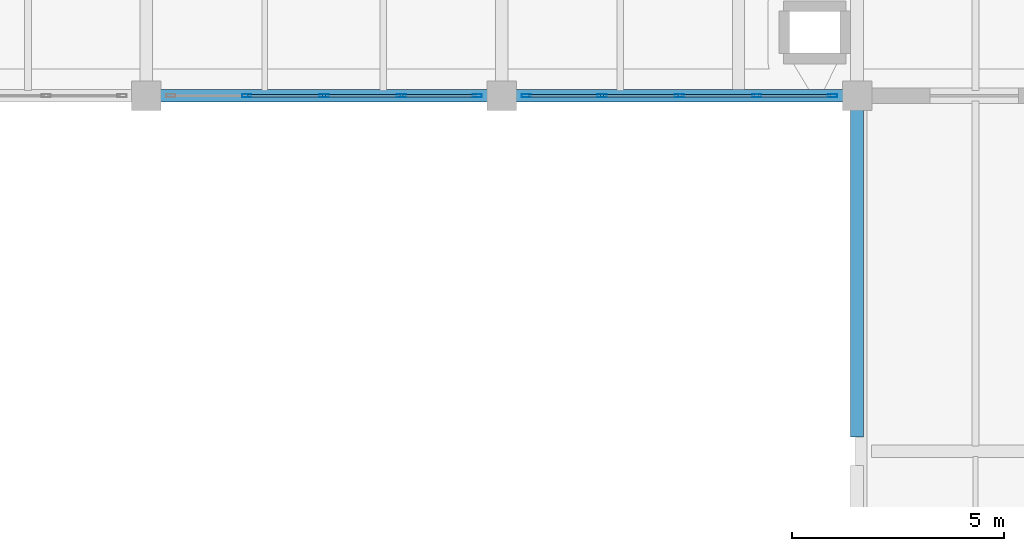
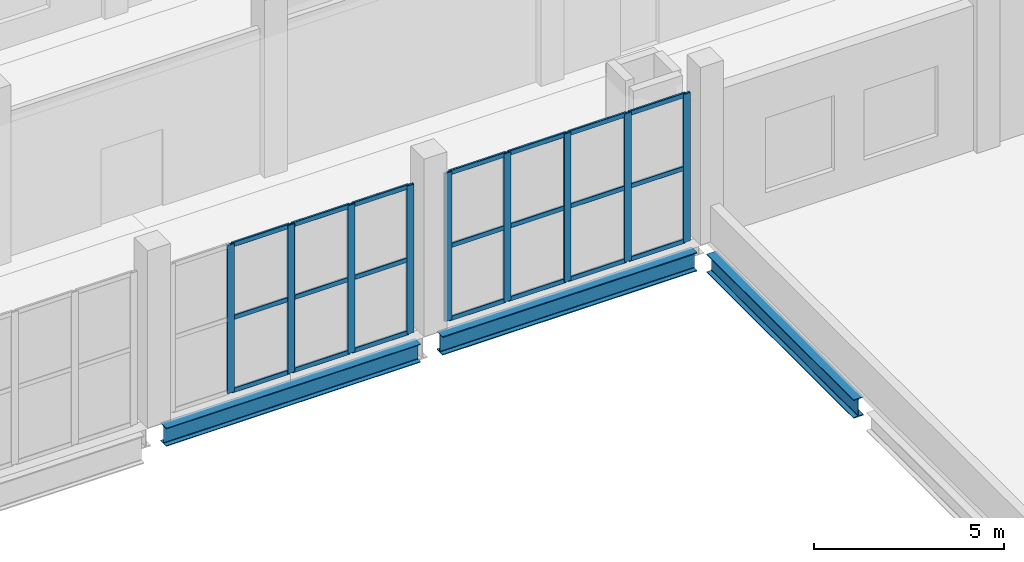
# One storey, part 26 of 49: 30 members, 3 beams, 2 elements without a shape of their own.
"""IFC4 building model written with IfcOpenShell, lengths in metres."""

import ifcopenshell
import ifcopenshell.guid

model = None  # the IFC model being written
_history = None  # IfcOwnerHistory: only IFC2X3 demands one
_inside = {}  # id of a spatial element -> (the spatial element, [elements in it])
_under = {}  # id of a project, library or spatial element -> (it, [spatial elements below it])
_declared = {}  # id of a project -> (the project, [libraries it declares])
_typed = {}  # id of a type object -> (the type object, [elements of that type])
_made_of = {}  # id of a material, layer set ... -> (it, [elements and type objects made of it])


def new_model(schema):
    """Start an empty IFC model of exactly this schema.

    Asked for "IFC4X3", IfcOpenShell would pick the latest addendum, in which some entities
    have other attributes; the version numbers below select the first issue.
    IFC2X3 requires an IfcOwnerHistory on every rooted entity: one is made here for all.
    """
    global model, _history
    if schema == "IFC4X3":
        model = ifcopenshell.file(schema_version=(4, 3, 0, 0))
    else:
        model = ifcopenshell.file(schema=schema)
    _inside.clear()
    _under.clear()
    _declared.clear()
    _typed.clear()
    _made_of.clear()
    _history = None
    if model.schema == "IFC2X3":
        org = make("IfcOrganization", Name="unknown")
        user = make(
            "IfcPersonAndOrganization",
            ThePerson=make("IfcPerson", FamilyName="unknown"),
            TheOrganization=org,
        )
        app = make(
            "IfcApplication",
            ApplicationDeveloper=org,
            Version="unknown",
            ApplicationFullName="unknown",
            ApplicationIdentifier="unknown",
        )
        _history = make(
            "IfcOwnerHistory",
            OwningUser=user,
            OwningApplication=app,
            ChangeAction="ADDED",
            CreationDate=0,
        )
    return model


def make(cls, **values):
    """One entity of the class cls with the attributes given. An attribute that is None is left unset."""
    return model.create_entity(
        cls, **{name: value for name, value in values.items() if value is not None}
    )


def rooted(cls, **values):
    """An entity with a GlobalId (a new one), such as an element, a storey or a relation."""
    return make(cls, GlobalId=ifcopenshell.guid.new(), OwnerHistory=_history, **values)


def si_unit(unit_type, name, prefix=None):
    """IfcSIUnit, for example si_unit("LENGTHUNIT", "METRE", prefix="MILLI")."""
    return make("IfcSIUnit", UnitType=unit_type, Prefix=prefix, Name=name)


def assignment(units):
    """IfcUnitAssignment: the units of a project."""
    return None if units is None else make("IfcUnitAssignment", Units=units)


def point(xyz):
    """IfcCartesianPoint."""
    return None if xyz is None else make("IfcCartesianPoint", Coordinates=xyz)


def direction(xyz):
    """IfcDirection."""
    return None if xyz is None else make("IfcDirection", DirectionRatios=xyz)


def frame(location, z_axis=None, x_axis=None):
    """IfcAxis2Placement3D, a coordinate frame: its origin and axes. An axis left out is left unset."""
    return make(
        "IfcAxis2Placement3D",
        Location=point(location),
        Axis=direction(z_axis),
        RefDirection=direction(x_axis),
    )


def frame_2d(location, x_axis=None):
    """IfcAxis2Placement2D, a coordinate frame in the plane: its origin and x axis."""
    return make(
        "IfcAxis2Placement2D", Location=point(location), RefDirection=direction(x_axis)
    )


def origin():
    """The frame at (0, 0, 0) with its axes left unset."""
    return frame((0.0, 0.0, 0.0))


def origin_2d():
    """The frame at (0, 0) in the plane with its x axis left unset."""
    return frame_2d((0.0, 0.0))


def place(relative_to, where):
    """IfcLocalPlacement: puts the frame where relative to a parent placement (None: the world)."""
    return make(
        "IfcLocalPlacement", PlacementRelTo=relative_to, RelativePlacement=where
    )


def context(
    kind, dimensions, precision=None, world=None, true_north=None, identifier=None
):
    """IfcGeometricRepresentationContext, for example the 3D "Model" context."""
    return make(
        "IfcGeometricRepresentationContext",
        ContextIdentifier=identifier,
        ContextType=kind,
        CoordinateSpaceDimension=dimensions,
        Precision=precision,
        WorldCoordinateSystem=world,
        TrueNorth=true_north,
    )


def subcontext(parent, identifier, kind, view, scale=None):
    """IfcGeometricRepresentationSubContext, for example "Body" below "Model"."""
    return make(
        "IfcGeometricRepresentationSubContext",
        ContextIdentifier=identifier,
        ContextType=kind,
        ParentContext=parent,
        TargetScale=scale,
        TargetView=view,
    )


def project(units=None, contexts=None):
    """IfcProject with its units and contexts."""
    return rooted(
        "IfcProject",
        Name="project",
        RepresentationContexts=contexts,
        UnitsInContext=assignment(units),
    )


def spatial(cls, under=None, at=None, **own):
    """A site, building, storey or space (cls), placed at a placement, below another one or the project."""
    s = rooted(cls, ObjectPlacement=at, **own)
    if under is not None:
        _under.setdefault(under.id(), (under, []))[1].append(s)
    return s


def profile(cls, at=None, kind="AREA", **sizes):
    """A parametric profile (cls). Its sizes go by their IFC names, for example OverallWidth=200.0."""
    return make(cls, ProfileType=kind, Position=at, **sizes)


def hollow_rectangle(**sizes):
    """IfcRectangleHollowProfileDef."""
    return profile("IfcRectangleHollowProfileDef", **sizes)


def i_section(**sizes):
    """IfcIShapeProfileDef."""
    return profile("IfcIShapeProfileDef", **sizes)


def extrude(swept, where, along, depth):
    """IfcExtrudedAreaSolid: the profile swept, set in the frame where, extruded along a direction by depth."""
    return make(
        "IfcExtrudedAreaSolid",
        SweptArea=swept,
        Position=where,
        ExtrudedDirection=direction(along),
        Depth=depth,
    )


def shape(context_of_items, identifier, shape_type, items):
    """IfcShapeRepresentation: the items that make up one representation, for example the "Body"."""
    return make(
        "IfcShapeRepresentation",
        ContextOfItems=context_of_items,
        RepresentationIdentifier=identifier,
        RepresentationType=shape_type,
        Items=items,
    )


def material(Name=None, Category=None):
    """IfcMaterial."""
    return make("IfcMaterial", Name=Name, Category=Category)


def layer(
    of_material, thickness, ventilated=None, Name=None, Category=None, Priority=None
):
    """IfcMaterialLayer: one layer of a wall or slab, of a material (None: an air gap)."""
    return make(
        "IfcMaterialLayer",
        Material=of_material,
        LayerThickness=thickness,
        IsVentilated=ventilated,
        Name=Name,
        Category=Category,
        Priority=Priority,
    )


def layer_set(layers, Name=None):
    """IfcMaterialLayerSet."""
    return make("IfcMaterialLayerSet", MaterialLayers=layers, LayerSetName=Name)


def material_profile(
    of_material, cross_section, Name=None, Category=None, Priority=None
):
    """IfcMaterialProfile: a cross section and its material."""
    return make(
        "IfcMaterialProfile",
        Name=Name,
        Material=of_material,
        Profile=cross_section,
        Priority=Priority,
        Category=Category,
    )


def profile_set(profiles, Name=None, composite=None):
    """IfcMaterialProfileSet."""
    return make(
        "IfcMaterialProfileSet",
        Name=Name,
        MaterialProfiles=profiles,
        CompositeProfile=composite,
    )


def made_of(thing, what):
    """Note that an element or type object is made of a material, layer set ...; save() writes the relation."""
    if what is not None:
        _made_of.setdefault(what.id(), (what, []))[1].append(thing)
    return thing


def type_object(cls, material=None, **own):
    """A type object (cls), such as IfcWallType, which elements share."""
    return made_of(rooted(cls, **own), material)


def element(
    cls,
    number,
    at=None,
    inside=None,
    cuts=None,
    type_object=None,
    material=None,
    context=None,
    identifier="Body",
    shape_type=None,
    held_by="IfcProductDefinitionShape",
    body=None,
    shapes=None,
    **own,
):
    """One element of the class cls, such as IfcWall. Its Tag is "e" and its number.

    at: its placement. inside: the storey or other place that contains it. cuts: it is an
    opening in that element (IfcRelVoidsElement). A single representation is given by context,
    identifier, shape_type and body (its items); several are given by shapes. held_by: the class
    of the entity that holds the representations. save() writes the other relations.
    """
    e = rooted(cls, Tag="e%d" % number, ObjectPlacement=at, **own)
    if body is not None:
        shapes = [shape(context, identifier, shape_type, body)]
    if shapes is not None:
        e.Representation = make(held_by, Representations=shapes)
    if inside is not None:
        _inside.setdefault(inside.id(), (inside, []))[1].append(e)
    if cuts is not None:
        rooted(
            "IfcRelVoidsElement", RelatingBuildingElement=cuts, RelatedOpeningElement=e
        )
    if type_object is not None:
        _typed.setdefault(type_object.id(), (type_object, []))[1].append(e)
    return made_of(e, material)


def aggregate(whole, parts):
    """IfcRelAggregates: a whole, such as a stair, and the parts it consists of."""
    return rooted("IfcRelAggregates", RelatingObject=whole, RelatedObjects=parts)


def save(model, path):
    """Write the relations noted so far, then the file.

    IfcRelAggregates (storeys below a building ...), IfcRelContainedInSpatialStructure (elements
    in a storey), IfcRelDefinesByType, IfcRelAssociatesMaterial and IfcRelDeclares: one each for
    every whole, place, type object, material and project.
    """
    for whole, parts in _under.values():
        aggregate(whole, parts)
    for where, things in _inside.values():
        rooted(
            "IfcRelContainedInSpatialStructure",
            RelatedElements=things,
            RelatingStructure=where,
        )
    for kind, things in _typed.values():
        rooted("IfcRelDefinesByType", RelatedObjects=things, RelatingType=kind)
    for what, things in _made_of.values():
        rooted("IfcRelAssociatesMaterial", RelatedObjects=things, RelatingMaterial=what)
    for by, libraries in _declared.values():
        rooted("IfcRelDeclares", RelatingContext=by, RelatedDefinitions=libraries)
    model.write(path)


model = new_model("IFC4")

# Units and contexts
model_context = context("Model", 3, precision=1e-05, world=origin(), true_north=direction((0.0, 1.0)))
body_context = subcontext(model_context, "Body", "Model", "MODEL_VIEW")
ifc_project = project(units=[si_unit("LENGTHUNIT", "METRE"), si_unit("AREAUNIT", "SQUARE_METRE"), si_unit("VOLUMEUNIT", "CUBIC_METRE"), si_unit("PLANEANGLEUNIT", "RADIAN"), si_unit("MASSUNIT", "GRAM", prefix="KILO")], contexts=[model_context])

# Site, building, storey
site_placement = place(None, origin())
site = spatial("IfcSite", under=ifc_project, at=site_placement, CompositionType="ELEMENT")
building_placement = place(site_placement, origin())
building = spatial("IfcBuilding", under=site, at=building_placement, Name="Zulmaris Art Gallery", CompositionType="ELEMENT")
storey_placement = place(building_placement, frame((0.0, 0.0, 20.699951171875)))
storey = spatial("IfcBuildingStorey", under=building, at=storey_placement, Name="L04", CompositionType="ELEMENT", Elevation=20.699951171875)

# Beams
ifc_material_1 = material(Name="Steel S355J2", Category="steel")
ifc_material_profile_1 = material_profile(ifc_material_1, i_section(OverallWidth=0.300048828125, OverallDepth=0.590087890625, WebThickness=0.012939453125, FlangeThickness=0.02490234375, FilletRadius=0.027099609375, at=origin_2d()), Name="HEA 600")
ifc_profile_set_1 = profile_set([ifc_material_profile_1], Name="Steel S355J2")
beam_type_1 = type_object("IfcBeamType", Name="BEAM-BM12", PredefinedType="BEAM", material=ifc_profile_set_1)
beam_placement = place(storey_placement, frame((167.135009765625, 58.800048828125, -0.655029296875), z_axis=(1.0, 0.0, 0.0), x_axis=(0.0, 1.0, 0.0)))
element("IfcBeam", 1, at=beam_placement, inside=storey, type_object=beam_type_1, Name="L04 X-girder (166.8..175.2, y=58.8)", PredefinedType="BEAM", context=body_context, shape_type="SweptSolid", body=[
    extrude(i_section(OverallWidth=0.300048828125, OverallDepth=0.590087890625, WebThickness=0.012939453125, FlangeThickness=0.02490234375, FilletRadius=0.027099609375, at=origin_2d()), origin(), (0.0, 0.0, 1.0), 7.72998046875),
])
ifc_material_profile_2 = material_profile(ifc_material_1, i_section(OverallWidth=0.300048828125, OverallDepth=0.60009765625, WebThickness=0.015380859375, FlangeThickness=0.030029296875, FilletRadius=0.027099609375, at=origin_2d()), Name="HEB 600")
ifc_profile_set_2 = profile_set([ifc_material_profile_2], Name="Steel S355J2")
beam_type_2 = type_object("IfcBeamType", Name="BEAM-BM15", PredefinedType="BEAM", material=ifc_profile_set_2)
for number, where, z_axis, x_axis, name in (
    (2, (175.534912109375, 58.800048828125, -0.659912109375), (1.0, 0.0, 0.0), (0.0, 1.0, 0.0), "L04 X-girder (175.2..183.6, y=58.8)"),
    (3, (183.60009765625, 50.735107421875, -0.659912109375), (0.0, 1.0, 0.0), (-1.0, 0.0, 0.0), "L04 Y-girder (x=183.6, 50.4..58.8)"),
):
    element("IfcBeam", number, at=place(storey_placement, frame(where, z_axis=z_axis, x_axis=x_axis)), inside=storey, type_object=beam_type_2, Name=name, PredefinedType="BEAM", context=body_context, shape_type="SweptSolid", body=[
        extrude(i_section(OverallWidth=0.300048828125, OverallDepth=0.60009765625, WebThickness=0.015380859375, FlangeThickness=0.030029296875, FilletRadius=0.027099609375, at=origin_2d()), origin(), (0.0, 0.0, 1.0), 7.72998046875),
    ])

# Curtain wall, members
ifc_material_2 = material(Name="Courtyard Artists Studio Curtain Wall", Category="aluminium")
ifc_layer = layer(ifc_material_2, 0.179931640625)
ifc_layer_set = layer_set([ifc_layer], Name="Courtyard Artists Studio Curtain Wall")
curtain_wall_type = type_object("IfcCurtainWallType", Name="CW-CW04", PredefinedType="NOTDEFINED", material=ifc_layer_set)
curtain_wall_1_placement = place(storey_placement, origin())
curtain_wall_1 = element("IfcCurtainWall", 4, at=curtain_wall_1_placement, inside=storey, type_object=curtain_wall_type, Name="L04 curtain wall 163", PredefinedType="NOTDEFINED")
ifc_material_3 = material(Name="Anodised Bronze Aluminium", Category="aluminium")
ifc_material_profile_3 = material_profile(ifc_material_3, hollow_rectangle(XDim=0.074951171875, YDim=0.219970703125, WallThickness=0.0048828125, InnerFilletRadius=0.007568359375, OuterFilletRadius=0.012451171875, at=origin_2d()), Name="ALU 75x220x5")
ifc_profile_set_3 = profile_set([ifc_material_profile_3], Name="Anodised Bronze Aluminium")
member_type_1 = type_object("IfcMemberType", Name="CWMUL-02", PredefinedType="MULLION", material=ifc_profile_set_3)
member_1_placement = place(storey_placement, frame((174.62255859375, 58.800048828125, 0.0), z_axis=(0.0, 0.0, 1.0), x_axis=(0.0, -1.0, 0.0)))
member_1 = element("IfcMember", 5, at=member_1_placement, type_object=member_type_1, Name="CW04 mullion 1", PredefinedType="MULLION", context=body_context, shape_type="SweptSolid", body=[
    extrude(hollow_rectangle(XDim=0.074951171875, YDim=0.219970703125, WallThickness=0.0048828125, InnerFilletRadius=0.007568359375, OuterFilletRadius=0.012451171875, at=origin_2d()), origin(), (0.0, 0.0, 1.0), 4.760009765625),
])
member_2_placement = place(storey_placement, frame((172.830078125, 58.800048828125, 0.0), z_axis=(0.0, 0.0, 1.0), x_axis=(0.0, -1.0, 0.0)))
member_2 = element("IfcMember", 6, at=member_2_placement, type_object=member_type_1, Name="CW04 mullion 2", PredefinedType="MULLION", context=body_context, shape_type="SweptSolid", body=[
    extrude(hollow_rectangle(XDim=0.074951171875, YDim=0.219970703125, WallThickness=0.0048828125, InnerFilletRadius=0.007568359375, OuterFilletRadius=0.012451171875, at=origin_2d()), origin(), (0.0, 0.0, 1.0), 4.760009765625),
])
member_3_placement = place(storey_placement, frame((171.0, 58.800048828125, 0.0), z_axis=(0.0, 0.0, 1.0), x_axis=(0.0, -1.0, 0.0)))
member_3 = element("IfcMember", 7, at=member_3_placement, type_object=member_type_1, Name="CW04 mullion 3", PredefinedType="MULLION", context=body_context, shape_type="SweptSolid", body=[
    extrude(hollow_rectangle(XDim=0.074951171875, YDim=0.219970703125, WallThickness=0.0048828125, InnerFilletRadius=0.007568359375, OuterFilletRadius=0.012451171875, at=origin_2d()), origin(), (0.0, 0.0, 1.0), 4.760009765625),
])
member_4_placement = place(storey_placement, frame((169.169921875, 58.800048828125, 0.0), z_axis=(0.0, 0.0, 1.0), x_axis=(0.0, -1.0, 0.0)))
member_4 = element("IfcMember", 8, at=member_4_placement, type_object=member_type_1, Name="CW04 mullion 4", PredefinedType="MULLION", context=body_context, shape_type="SweptSolid", body=[
    extrude(hollow_rectangle(XDim=0.074951171875, YDim=0.219970703125, WallThickness=0.0048828125, InnerFilletRadius=0.007568359375, OuterFilletRadius=0.012451171875, at=origin_2d()), origin(), (0.0, 0.0, 1.0), 4.760009765625),
])

curtain_wall_2_placement = place(storey_placement, origin())
curtain_wall_2 = element("IfcCurtainWall", 9, at=curtain_wall_2_placement, inside=storey, type_object=curtain_wall_type, Name="L04 curtain wall 164", PredefinedType="NOTDEFINED")
member_5_placement = place(storey_placement, frame((183.0224609375, 58.800048828125, 0.0), z_axis=(0.0, 0.0, 1.0), x_axis=(0.0, -1.0, 0.0)))
member_5 = element("IfcMember", 10, at=member_5_placement, type_object=member_type_1, Name="CW04 mullion 1", PredefinedType="MULLION", context=body_context, shape_type="SweptSolid", body=[
    extrude(hollow_rectangle(XDim=0.074951171875, YDim=0.219970703125, WallThickness=0.0048828125, InnerFilletRadius=0.007568359375, OuterFilletRadius=0.012451171875, at=origin_2d()), origin(), (0.0, 0.0, 1.0), 4.760009765625),
])
member_6_placement = place(storey_placement, frame((181.22998046875, 58.800048828125, 0.0), z_axis=(0.0, 0.0, 1.0), x_axis=(0.0, -1.0, 0.0)))
member_6 = element("IfcMember", 11, at=member_6_placement, type_object=member_type_1, Name="CW04 mullion 2", PredefinedType="MULLION", context=body_context, shape_type="SweptSolid", body=[
    extrude(hollow_rectangle(XDim=0.074951171875, YDim=0.219970703125, WallThickness=0.0048828125, InnerFilletRadius=0.007568359375, OuterFilletRadius=0.012451171875, at=origin_2d()), origin(), (0.0, 0.0, 1.0), 4.760009765625),
])
member_7_placement = place(storey_placement, frame((179.39990234375, 58.800048828125, 0.0), z_axis=(0.0, 0.0, 1.0), x_axis=(0.0, -1.0, 0.0)))
member_7 = element("IfcMember", 12, at=member_7_placement, type_object=member_type_1, Name="CW04 mullion 3", PredefinedType="MULLION", context=body_context, shape_type="SweptSolid", body=[
    extrude(hollow_rectangle(XDim=0.074951171875, YDim=0.219970703125, WallThickness=0.0048828125, InnerFilletRadius=0.007568359375, OuterFilletRadius=0.012451171875, at=origin_2d()), origin(), (0.0, 0.0, 1.0), 4.760009765625),
])
member_8_placement = place(storey_placement, frame((177.570068359375, 58.800048828125, 0.0), z_axis=(0.0, 0.0, 1.0), x_axis=(0.0, -1.0, 0.0)))
member_8 = element("IfcMember", 13, at=member_8_placement, type_object=member_type_1, Name="CW04 mullion 4", PredefinedType="MULLION", context=body_context, shape_type="SweptSolid", body=[
    extrude(hollow_rectangle(XDim=0.074951171875, YDim=0.219970703125, WallThickness=0.0048828125, InnerFilletRadius=0.007568359375, OuterFilletRadius=0.012451171875, at=origin_2d()), origin(), (0.0, 0.0, 1.0), 4.760009765625),
])
member_9_placement = place(storey_placement, frame((175.777587890625, 58.800048828125, 0.0), z_axis=(0.0, 0.0, 1.0), x_axis=(0.0, -1.0, 0.0)))
member_9 = element("IfcMember", 14, at=member_9_placement, type_object=member_type_1, Name="CW04 mullion 5", PredefinedType="MULLION", context=body_context, shape_type="SweptSolid", body=[
    extrude(hollow_rectangle(XDim=0.074951171875, YDim=0.219970703125, WallThickness=0.0048828125, InnerFilletRadius=0.007568359375, OuterFilletRadius=0.012451171875, at=origin_2d()), origin(), (0.0, 0.0, 1.0), 4.760009765625),
])

# Member
ifc_material_profile_4 = material_profile(ifc_material_3, hollow_rectangle(XDim=0.06494140625, YDim=0.14990234375, WallThickness=0.00390625, InnerFilletRadius=0.006103515625, OuterFilletRadius=0.010009765625, at=origin_2d()), Name="ALU 65x150x4")
ifc_profile_set_4 = profile_set([ifc_material_profile_4], Name="Anodised Bronze Aluminium")
member_type_2 = type_object("IfcMemberType", Name="CWTRN-01", PredefinedType="USERDEFINED", material=ifc_profile_set_4)
member_10_placement = place(storey_placement, frame((174.5849609375, 58.800048828125, 0.03759765625), z_axis=(-1.0, 0.0, 0.0), x_axis=(0.0, -1.0, 0.0)))
member_10 = element("IfcMember", 15, at=member_10_placement, type_object=member_type_2, Name="CW04 transom 1.1", ObjectType="TRANSOM", PredefinedType="USERDEFINED", context=body_context, shape_type="SweptSolid", body=[
    extrude(hollow_rectangle(XDim=0.06494140625, YDim=0.14990234375, WallThickness=0.00390625, InnerFilletRadius=0.006103515625, OuterFilletRadius=0.010009765625, at=origin_2d()), origin(), (0.0, 0.0, 1.0), 1.717529296875),
])

member_11_placement = place(storey_placement, frame((174.5849609375, 58.800048828125, 2.380126953125), z_axis=(-1.0, 0.0, 0.0), x_axis=(0.0, -1.0, 0.0)))
member_11 = element("IfcMember", 16, at=member_11_placement, type_object=member_type_2, Name="CW04 transom 1.2", ObjectType="TRANSOM", PredefinedType="USERDEFINED", context=body_context, shape_type="SweptSolid", body=[
    extrude(hollow_rectangle(XDim=0.06494140625, YDim=0.14990234375, WallThickness=0.00390625, InnerFilletRadius=0.006103515625, OuterFilletRadius=0.010009765625, at=origin_2d()), origin(), (0.0, 0.0, 1.0), 1.717529296875),
])

member_12_placement = place(storey_placement, frame((174.5849609375, 58.800048828125, 4.72265625), z_axis=(-1.0, 0.0, 0.0), x_axis=(0.0, -1.0, 0.0)))
member_12 = element("IfcMember", 17, at=member_12_placement, type_object=member_type_2, Name="CW04 transom 1.3", ObjectType="TRANSOM", PredefinedType="USERDEFINED", context=body_context, shape_type="SweptSolid", body=[
    extrude(hollow_rectangle(XDim=0.06494140625, YDim=0.14990234375, WallThickness=0.00390625, InnerFilletRadius=0.006103515625, OuterFilletRadius=0.010009765625, at=origin_2d()), origin(), (0.0, 0.0, 1.0), 1.717529296875),
])

member_13_placement = place(storey_placement, frame((172.79248046875, 58.800048828125, 0.03759765625), z_axis=(-1.0, 0.0, 0.0), x_axis=(0.0, -1.0, 0.0)))
member_13 = element("IfcMember", 18, at=member_13_placement, type_object=member_type_2, Name="CW04 transom 2.1", ObjectType="TRANSOM", PredefinedType="USERDEFINED", context=body_context, shape_type="SweptSolid", body=[
    extrude(hollow_rectangle(XDim=0.06494140625, YDim=0.14990234375, WallThickness=0.00390625, InnerFilletRadius=0.006103515625, OuterFilletRadius=0.010009765625, at=origin_2d()), origin(), (0.0, 0.0, 1.0), 1.7548828125),
])

member_14_placement = place(storey_placement, frame((172.79248046875, 58.800048828125, 2.380126953125), z_axis=(-1.0, 0.0, 0.0), x_axis=(0.0, -1.0, 0.0)))
member_14 = element("IfcMember", 19, at=member_14_placement, type_object=member_type_2, Name="CW04 transom 2.2", ObjectType="TRANSOM", PredefinedType="USERDEFINED", context=body_context, shape_type="SweptSolid", body=[
    extrude(hollow_rectangle(XDim=0.06494140625, YDim=0.14990234375, WallThickness=0.00390625, InnerFilletRadius=0.006103515625, OuterFilletRadius=0.010009765625, at=origin_2d()), origin(), (0.0, 0.0, 1.0), 1.7548828125),
])

member_15_placement = place(storey_placement, frame((172.79248046875, 58.800048828125, 4.72265625), z_axis=(-1.0, 0.0, 0.0), x_axis=(0.0, -1.0, 0.0)))
member_15 = element("IfcMember", 20, at=member_15_placement, type_object=member_type_2, Name="CW04 transom 2.3", ObjectType="TRANSOM", PredefinedType="USERDEFINED", context=body_context, shape_type="SweptSolid", body=[
    extrude(hollow_rectangle(XDim=0.06494140625, YDim=0.14990234375, WallThickness=0.00390625, InnerFilletRadius=0.006103515625, OuterFilletRadius=0.010009765625, at=origin_2d()), origin(), (0.0, 0.0, 1.0), 1.7548828125),
])

member_16_placement = place(storey_placement, frame((170.96240234375, 58.800048828125, 0.03759765625), z_axis=(-1.0, 0.0, 0.0), x_axis=(0.0, -1.0, 0.0)))
member_16 = element("IfcMember", 21, at=member_16_placement, type_object=member_type_2, Name="CW04 transom 3.1", ObjectType="TRANSOM", PredefinedType="USERDEFINED", context=body_context, shape_type="SweptSolid", body=[
    extrude(hollow_rectangle(XDim=0.06494140625, YDim=0.14990234375, WallThickness=0.00390625, InnerFilletRadius=0.006103515625, OuterFilletRadius=0.010009765625, at=origin_2d()), origin(), (0.0, 0.0, 1.0), 1.7548828125),
])

member_17_placement = place(storey_placement, frame((170.96240234375, 58.800048828125, 2.380126953125), z_axis=(-1.0, 0.0, 0.0), x_axis=(0.0, -1.0, 0.0)))
member_17 = element("IfcMember", 22, at=member_17_placement, type_object=member_type_2, Name="CW04 transom 3.2", ObjectType="TRANSOM", PredefinedType="USERDEFINED", context=body_context, shape_type="SweptSolid", body=[
    extrude(hollow_rectangle(XDim=0.06494140625, YDim=0.14990234375, WallThickness=0.00390625, InnerFilletRadius=0.006103515625, OuterFilletRadius=0.010009765625, at=origin_2d()), origin(), (0.0, 0.0, 1.0), 1.7548828125),
])

member_18_placement = place(storey_placement, frame((170.96240234375, 58.800048828125, 4.72265625), z_axis=(-1.0, 0.0, 0.0), x_axis=(0.0, -1.0, 0.0)))
member_18 = element("IfcMember", 23, at=member_18_placement, type_object=member_type_2, Name="CW04 transom 3.3", ObjectType="TRANSOM", PredefinedType="USERDEFINED", context=body_context, shape_type="SweptSolid", body=[
    extrude(hollow_rectangle(XDim=0.06494140625, YDim=0.14990234375, WallThickness=0.00390625, InnerFilletRadius=0.006103515625, OuterFilletRadius=0.010009765625, at=origin_2d()), origin(), (0.0, 0.0, 1.0), 1.7548828125),
])

aggregate(curtain_wall_1, [member_1, member_2, member_3, member_4, member_10, member_11, member_12, member_13, member_14, member_15, member_16, member_17, member_18])

member_19_placement = place(storey_placement, frame((182.985107421875, 58.800048828125, 0.03759765625), z_axis=(-1.0, 0.0, 0.0), x_axis=(0.0, -1.0, 0.0)))
member_19 = element("IfcMember", 24, at=member_19_placement, type_object=member_type_2, Name="CW04 transom 1.1", ObjectType="TRANSOM", PredefinedType="USERDEFINED", context=body_context, shape_type="SweptSolid", body=[
    extrude(hollow_rectangle(XDim=0.06494140625, YDim=0.14990234375, WallThickness=0.00390625, InnerFilletRadius=0.006103515625, OuterFilletRadius=0.010009765625, at=origin_2d()), origin(), (0.0, 0.0, 1.0), 1.717529296875),
])

member_20_placement = place(storey_placement, frame((182.985107421875, 58.800048828125, 2.380126953125), z_axis=(-1.0, 0.0, 0.0), x_axis=(0.0, -1.0, 0.0)))
member_20 = element("IfcMember", 25, at=member_20_placement, type_object=member_type_2, Name="CW04 transom 1.2", ObjectType="TRANSOM", PredefinedType="USERDEFINED", context=body_context, shape_type="SweptSolid", body=[
    extrude(hollow_rectangle(XDim=0.06494140625, YDim=0.14990234375, WallThickness=0.00390625, InnerFilletRadius=0.006103515625, OuterFilletRadius=0.010009765625, at=origin_2d()), origin(), (0.0, 0.0, 1.0), 1.717529296875),
])

member_21_placement = place(storey_placement, frame((182.985107421875, 58.800048828125, 4.72265625), z_axis=(-1.0, 0.0, 0.0), x_axis=(0.0, -1.0, 0.0)))
member_21 = element("IfcMember", 26, at=member_21_placement, type_object=member_type_2, Name="CW04 transom 1.3", ObjectType="TRANSOM", PredefinedType="USERDEFINED", context=body_context, shape_type="SweptSolid", body=[
    extrude(hollow_rectangle(XDim=0.06494140625, YDim=0.14990234375, WallThickness=0.00390625, InnerFilletRadius=0.006103515625, OuterFilletRadius=0.010009765625, at=origin_2d()), origin(), (0.0, 0.0, 1.0), 1.717529296875),
])

member_22_placement = place(storey_placement, frame((181.1923828125, 58.800048828125, 0.03759765625), z_axis=(-1.0, 0.0, 0.0), x_axis=(0.0, -1.0, 0.0)))
member_22 = element("IfcMember", 27, at=member_22_placement, type_object=member_type_2, Name="CW04 transom 2.1", ObjectType="TRANSOM", PredefinedType="USERDEFINED", context=body_context, shape_type="SweptSolid", body=[
    extrude(hollow_rectangle(XDim=0.06494140625, YDim=0.14990234375, WallThickness=0.00390625, InnerFilletRadius=0.006103515625, OuterFilletRadius=0.010009765625, at=origin_2d()), origin(), (0.0, 0.0, 1.0), 1.7548828125),
])

member_23_placement = place(storey_placement, frame((181.1923828125, 58.800048828125, 2.380126953125), z_axis=(-1.0, 0.0, 0.0), x_axis=(0.0, -1.0, 0.0)))
member_23 = element("IfcMember", 28, at=member_23_placement, type_object=member_type_2, Name="CW04 transom 2.2", ObjectType="TRANSOM", PredefinedType="USERDEFINED", context=body_context, shape_type="SweptSolid", body=[
    extrude(hollow_rectangle(XDim=0.06494140625, YDim=0.14990234375, WallThickness=0.00390625, InnerFilletRadius=0.006103515625, OuterFilletRadius=0.010009765625, at=origin_2d()), origin(), (0.0, 0.0, 1.0), 1.7548828125),
])

member_24_placement = place(storey_placement, frame((181.1923828125, 58.800048828125, 4.72265625), z_axis=(-1.0, 0.0, 0.0), x_axis=(0.0, -1.0, 0.0)))
member_24 = element("IfcMember", 29, at=member_24_placement, type_object=member_type_2, Name="CW04 transom 2.3", ObjectType="TRANSOM", PredefinedType="USERDEFINED", context=body_context, shape_type="SweptSolid", body=[
    extrude(hollow_rectangle(XDim=0.06494140625, YDim=0.14990234375, WallThickness=0.00390625, InnerFilletRadius=0.006103515625, OuterFilletRadius=0.010009765625, at=origin_2d()), origin(), (0.0, 0.0, 1.0), 1.7548828125),
])

member_25_placement = place(storey_placement, frame((179.362548828125, 58.800048828125, 0.03759765625), z_axis=(-1.0, 0.0, 0.0), x_axis=(0.0, -1.0, 0.0)))
member_25 = element("IfcMember", 30, at=member_25_placement, type_object=member_type_2, Name="CW04 transom 3.1", ObjectType="TRANSOM", PredefinedType="USERDEFINED", context=body_context, shape_type="SweptSolid", body=[
    extrude(hollow_rectangle(XDim=0.06494140625, YDim=0.14990234375, WallThickness=0.00390625, InnerFilletRadius=0.006103515625, OuterFilletRadius=0.010009765625, at=origin_2d()), origin(), (0.0, 0.0, 1.0), 1.755126953125),
])

member_26_placement = place(storey_placement, frame((179.362548828125, 58.800048828125, 2.380126953125), z_axis=(-1.0, 0.0, 0.0), x_axis=(0.0, -1.0, 0.0)))
member_26 = element("IfcMember", 31, at=member_26_placement, type_object=member_type_2, Name="CW04 transom 3.2", ObjectType="TRANSOM", PredefinedType="USERDEFINED", context=body_context, shape_type="SweptSolid", body=[
    extrude(hollow_rectangle(XDim=0.06494140625, YDim=0.14990234375, WallThickness=0.00390625, InnerFilletRadius=0.006103515625, OuterFilletRadius=0.010009765625, at=origin_2d()), origin(), (0.0, 0.0, 1.0), 1.755126953125),
])

member_27_placement = place(storey_placement, frame((179.362548828125, 58.800048828125, 4.72265625), z_axis=(-1.0, 0.0, 0.0), x_axis=(0.0, -1.0, 0.0)))
member_27 = element("IfcMember", 32, at=member_27_placement, type_object=member_type_2, Name="CW04 transom 3.3", ObjectType="TRANSOM", PredefinedType="USERDEFINED", context=body_context, shape_type="SweptSolid", body=[
    extrude(hollow_rectangle(XDim=0.06494140625, YDim=0.14990234375, WallThickness=0.00390625, InnerFilletRadius=0.006103515625, OuterFilletRadius=0.010009765625, at=origin_2d()), origin(), (0.0, 0.0, 1.0), 1.755126953125),
])

member_28_placement = place(storey_placement, frame((177.532470703125, 58.800048828125, 0.03759765625), z_axis=(-1.0, 0.0, 0.0), x_axis=(0.0, -1.0, 0.0)))
member_28 = element("IfcMember", 33, at=member_28_placement, type_object=member_type_2, Name="CW04 transom 4.1", ObjectType="TRANSOM", PredefinedType="USERDEFINED", context=body_context, shape_type="SweptSolid", body=[
    extrude(hollow_rectangle(XDim=0.06494140625, YDim=0.14990234375, WallThickness=0.00390625, InnerFilletRadius=0.006103515625, OuterFilletRadius=0.010009765625, at=origin_2d()), origin(), (0.0, 0.0, 1.0), 1.717529296875),
])

member_29_placement = place(storey_placement, frame((177.532470703125, 58.800048828125, 2.380126953125), z_axis=(-1.0, 0.0, 0.0), x_axis=(0.0, -1.0, 0.0)))
member_29 = element("IfcMember", 34, at=member_29_placement, type_object=member_type_2, Name="CW04 transom 4.2", ObjectType="TRANSOM", PredefinedType="USERDEFINED", context=body_context, shape_type="SweptSolid", body=[
    extrude(hollow_rectangle(XDim=0.06494140625, YDim=0.14990234375, WallThickness=0.00390625, InnerFilletRadius=0.006103515625, OuterFilletRadius=0.010009765625, at=origin_2d()), origin(), (0.0, 0.0, 1.0), 1.717529296875),
])

member_30_placement = place(storey_placement, frame((177.532470703125, 58.800048828125, 4.72265625), z_axis=(-1.0, 0.0, 0.0), x_axis=(0.0, -1.0, 0.0)))
member_30 = element("IfcMember", 35, at=member_30_placement, type_object=member_type_2, Name="CW04 transom 4.3", ObjectType="TRANSOM", PredefinedType="USERDEFINED", context=body_context, shape_type="SweptSolid", body=[
    extrude(hollow_rectangle(XDim=0.06494140625, YDim=0.14990234375, WallThickness=0.00390625, InnerFilletRadius=0.006103515625, OuterFilletRadius=0.010009765625, at=origin_2d()), origin(), (0.0, 0.0, 1.0), 1.717529296875),
])

aggregate(curtain_wall_2, [member_5, member_6, member_7, member_8, member_9, member_19, member_20, member_21, member_22, member_23, member_24, member_25, member_26, member_27, member_28, member_29, member_30])

save(model, "model.ifc")
